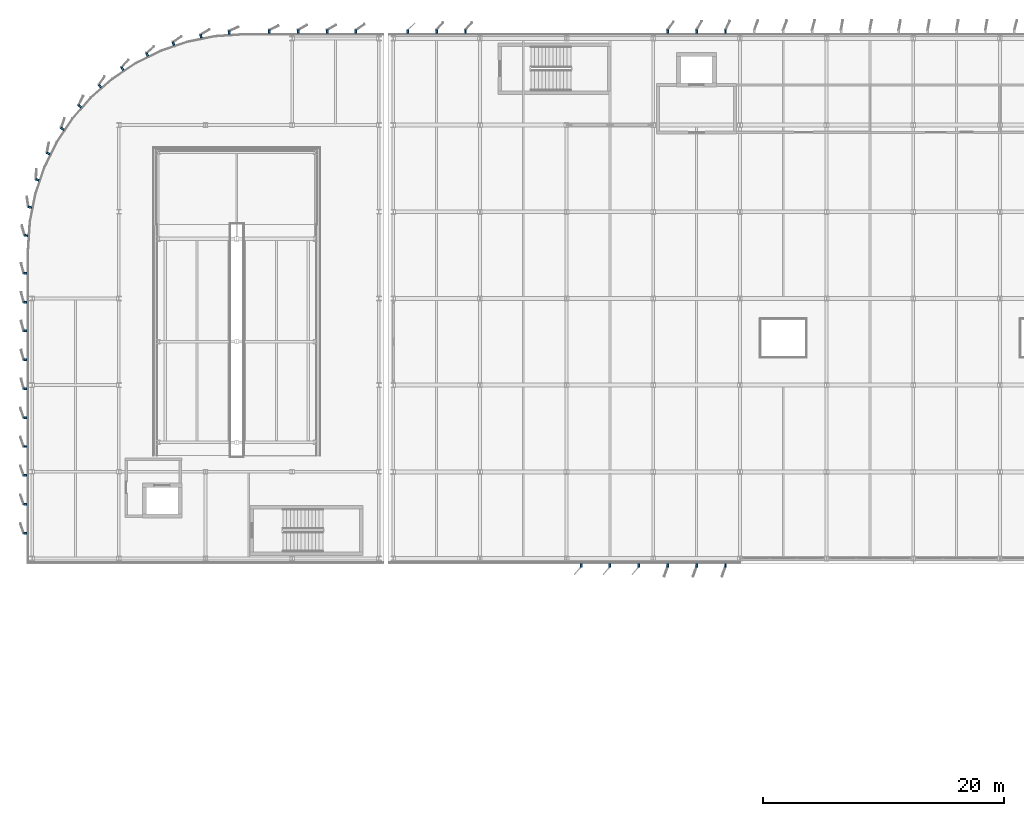
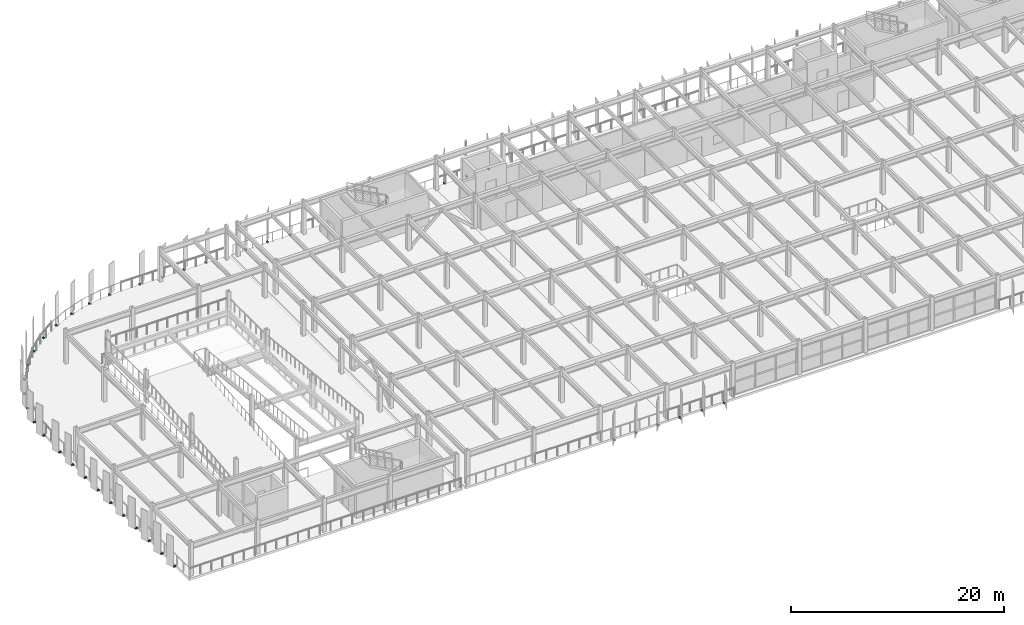
# One storey, part 58 of 80: 38 discrete accessories.
"""IFC4 building model written with IfcOpenShell, lengths in metres."""

from ifc_helpers import new_model, si_unit, direction, frame, origin, origin_2d, place, context, subcontext, project, spatial, rectangle, extrude, material, type_object, element, save


model = new_model("IFC4")

# Units and contexts
model_context = context("Model", 3, precision=1e-05, world=origin(), true_north=direction((0.0, 1.0)))
body_context = subcontext(model_context, "Body", "Model", "MODEL_VIEW")
ifc_project = project(units=[si_unit("LENGTHUNIT", "METRE"), si_unit("AREAUNIT", "SQUARE_METRE"), si_unit("VOLUMEUNIT", "CUBIC_METRE"), si_unit("PLANEANGLEUNIT", "RADIAN"), si_unit("MASSUNIT", "GRAM", prefix="KILO")], contexts=[model_context])

# Site, building, storey
site_placement = place(None, origin())
site = spatial("IfcSite", under=ifc_project, at=site_placement, CompositionType="ELEMENT")
building_placement = place(site_placement, origin())
building = spatial("IfcBuilding", under=site, at=building_placement, Name="Vaelcorin Mobility Hub", CompositionType="ELEMENT")
storey_placement = place(building_placement, frame((0.0, 0.0, 9.300048828125)))
storey = spatial("IfcBuildingStorey", under=building, at=storey_placement, Name="L02", CompositionType="ELEMENT", Elevation=9.300048828125)

# Discrete accessories
ifc_material = material(Name="Galvanised structural steel ASTM A36", Category="steel")
discrete_accessory_type = type_object("IfcDiscreteAccessoryType", Name="ACC-BRK-FIN", PredefinedType="BRACKET", material=ifc_material)
for number, where, z_axis, x_axis, name in (
    (1, (37.199951171875, 120.570068359375, -0.16015625), (0.0, 0.0, 1.0), (0.0, 1.0, 0.0), "Aerofoil Outrigger Bracket FIN-V4-L02-N-01-BK-01"),
    (2, (39.60009765625, 120.570068359375, -0.16015625), (0.0, 0.0, 1.0), (0.0, 1.0, 0.0), "Aerofoil Outrigger Bracket FIN-V4-L02-N-01-BK-02"),
    (3, (42.0, 120.570068359375, -0.16015625), (0.0, 0.0, 1.0), (0.0, 1.0, 0.0), "Aerofoil Outrigger Bracket FIN-V4-L02-N-01-BK-03"),
    (4, (56.39990234375, 76.22998046875, -0.16015625), (0.0, 0.0, 1.0), (0.0, -1.0, 0.0), "Aerofoil Outrigger Bracket FIN-V4-L02-S-03-BK-01"),
    (5, (54.0, 76.22998046875, -0.16015625), (0.0, 0.0, 1.0), (0.0, -1.0, 0.0), "Aerofoil Outrigger Bracket FIN-V4-L02-S-03-BK-02"),
    (6, (51.60009765625, 76.22998046875, -0.16015625), (0.0, 0.0, 1.0), (0.0, -1.0, 0.0), "Aerofoil Outrigger Bracket FIN-V4-L02-S-03-BK-03"),
    (7, (63.60009765625, 76.22998046875, -0.16015625), (0.0, 0.0, 1.0), (0.0, -1.0, 0.0), "Aerofoil Outrigger Bracket FIN-V4-L02-S-04-BK-01"),
    (8, (61.199951171875, 76.22998046875, -0.16015625), (0.0, 0.0, 1.0), (0.0, -1.0, 0.0), "Aerofoil Outrigger Bracket FIN-V4-L02-S-04-BK-02"),
    (9, (58.800048828125, 76.22998046875, -0.16015625), (0.0, 0.0, 1.0), (0.0, -1.0, 0.0), "Aerofoil Outrigger Bracket FIN-V4-L02-S-04-BK-03"),
    (10, (58.800048828125, 120.570068359375, -0.16015625), (0.0, 0.0, 1.0), (0.0, 1.0, 0.0), "Aerofoil Outrigger Bracket FIN-V4-L02-N-04-BK-01"),
    (11, (61.199951171875, 120.570068359375, -0.16015625), (0.0, 0.0, 1.0), (0.0, 1.0, 0.0), "Aerofoil Outrigger Bracket FIN-V4-L02-N-04-BK-02"),
    (12, (63.60009765625, 120.570068359375, -0.16015625), (0.0, 0.0, 1.0), (0.0, 1.0, 0.0), "Aerofoil Outrigger Bracket FIN-V4-L02-N-04-BK-03"),
    (13, (25.699951171875, 120.570068359375, -0.16015625), (0.0, 0.0, 1.0), (0.0, 1.0, 0.0), "Aerofoil Outrigger Bracket FIN-V2W-L02-N-BK-01"),
    (14, (28.10009765625, 120.570068359375, -0.16015625), (0.0, 0.0, 1.0), (0.0, 1.0, 0.0), "Aerofoil Outrigger Bracket FIN-V2W-L02-N-BK-02"),
    (15, (30.5, 120.570068359375, -0.16015625), (0.0, 0.0, 1.0), (0.0, 1.0, 0.0), "Aerofoil Outrigger Bracket FIN-V2W-L02-N-BK-03"),
    (16, (32.89990234375, 120.570068359375, -0.16015625), (0.0, 0.0, 1.0), (0.0, 1.0, 0.0), "Aerofoil Outrigger Bracket FIN-V2W-L02-N-BK-04"),
    (17, (22.367919921875, 120.492919921875, -0.16015625), (0.0, 0.0, 1.0), (-0.065420545144, 0.997857781587, 0.0), "Aerofoil Outrigger Bracket FIN-V2W-L02-ABK-01"),
    (18, (20.02294921875, 120.18408203125, -0.16015625), (0.0, 0.0, 1.0), (-0.19488490255, 0.980826118513, 0.0), "Aerofoil Outrigger Bracket FIN-V2W-L02-ABK-02"),
    (19, (17.738037109375, 119.572021484375, -0.16015625), (0.0, 0.0, 1.0), (-0.321571678558, 0.946885238849, 0.0), "Aerofoil Outrigger Bracket FIN-V2W-L02-ABK-03"),
    (20, (15.552978515625, 118.6669921875, -0.16015625), (0.0, 0.0, 1.0), (-0.442445217305, 0.896795533934, 0.0), "Aerofoil Outrigger Bracket FIN-V2W-L02-ABK-04"),
    (21, (13.50390625, 117.48388671875, -0.16015625), (0.0, 0.0, 1.0), (-0.555483158679, 0.831527786922, 0.0), "Aerofoil Outrigger Bracket FIN-V2W-L02-ABK-05"),
    (22, (11.6279296875, 116.0439453125, -0.16015625), (0.0, 0.0, 1.0), (-0.659280202189, 0.751897343393, 0.0), "Aerofoil Outrigger Bracket FIN-V2W-L02-ABK-06"),
    (23, (9.9560546875, 114.3720703125, -0.16015625), (0.0, 0.0, 1.0), (-0.751897343393, 0.659280202189, 0.0), "Aerofoil Outrigger Bracket FIN-V2W-L02-ABK-07"),
    (24, (8.51611328125, 112.49609375, -0.16015625), (0.0, 0.0, 1.0), (-0.831527786922, 0.555483158679, 0.0), "Aerofoil Outrigger Bracket FIN-V2W-L02-ABK-08"),
    (25, (7.3330078125, 110.447021484375, -0.16015625), (0.0, 0.0, 1.0), (-0.896795533934, 0.442445217305, 0.0), "Aerofoil Outrigger Bracket FIN-V2W-L02-ABK-09"),
    (26, (6.427978515625, 108.261962890625, -0.16015625), (0.0, 0.0, 1.0), (-0.946885238849, 0.321571678558, 0.0), "Aerofoil Outrigger Bracket FIN-V2W-L02-ABK-10"),
    (27, (5.81591796875, 105.97705078125, -0.16015625), (0.0, 0.0, 1.0), (-0.980826118513, 0.19488490255, 0.0), "Aerofoil Outrigger Bracket FIN-V2W-L02-ABK-11"),
    (28, (5.507080078125, 103.632080078125, -0.16015625), (0.0, 0.0, 1.0), (-0.997857781587, 0.065420545144, 0.0), "Aerofoil Outrigger Bracket FIN-V2W-L02-ABK-12"),
    (29, (5.429931640625, 78.89990234375, -0.16015625), (0.0, 0.0, 1.0), (-1.0, 0.0, 0.0), "Aerofoil Outrigger Bracket FIN-V2W-L02-W-BK-01"),
    (30, (5.429931640625, 81.300048828125, -0.16015625), (0.0, 0.0, 1.0), (-1.0, 0.0, 0.0), "Aerofoil Outrigger Bracket FIN-V2W-L02-W-BK-02"),
    (31, (5.429931640625, 83.699951171875, -0.16015625), (0.0, 0.0, 1.0), (-1.0, 0.0, 0.0), "Aerofoil Outrigger Bracket FIN-V2W-L02-W-BK-03"),
    (32, (5.429931640625, 86.10009765625, -0.16015625), (0.0, 0.0, 1.0), (-1.0, 0.0, 0.0), "Aerofoil Outrigger Bracket FIN-V2W-L02-W-BK-04"),
    (33, (5.429931640625, 88.5, -0.16015625), (0.0, 0.0, 1.0), (-1.0, 0.0, 0.0), "Aerofoil Outrigger Bracket FIN-V2W-L02-W-BK-05"),
    (34, (5.429931640625, 90.89990234375, -0.16015625), (0.0, 0.0, 1.0), (-1.0, 0.0, 0.0), "Aerofoil Outrigger Bracket FIN-V2W-L02-W-BK-06"),
    (35, (5.429931640625, 93.300048828125, -0.16015625), (0.0, 0.0, 1.0), (-1.0, 0.0, 0.0), "Aerofoil Outrigger Bracket FIN-V2W-L02-W-BK-07"),
    (36, (5.429931640625, 95.699951171875, -0.16015625), (0.0, 0.0, 1.0), (-1.0, 0.0, 0.0), "Aerofoil Outrigger Bracket FIN-V2W-L02-W-BK-08"),
    (37, (5.429931640625, 98.10009765625, -0.16015625), (0.0, 0.0, 1.0), (-1.0, 0.0, 0.0), "Aerofoil Outrigger Bracket FIN-V2W-L02-W-BK-09"),
    (38, (5.429931640625, 100.5, -0.16015625), (0.0, 0.0, 1.0), (-1.0, 0.0, 0.0), "Aerofoil Outrigger Bracket FIN-V2W-L02-W-BK-10"),
):
    element("IfcDiscreteAccessory", number, at=place(storey_placement, frame(where, z_axis=z_axis, x_axis=x_axis)), inside=storey, type_object=discrete_accessory_type, Name=name, PredefinedType="BRACKET", context=body_context, shape_type="SweptSolid", body=[
        extrude(rectangle(XDim=0.280029296875, YDim=0.159912109375, at=origin_2d()), origin(), (0.0, 0.0, 1.0), 0.159912109375),
    ])

save(model, "model.ifc")
